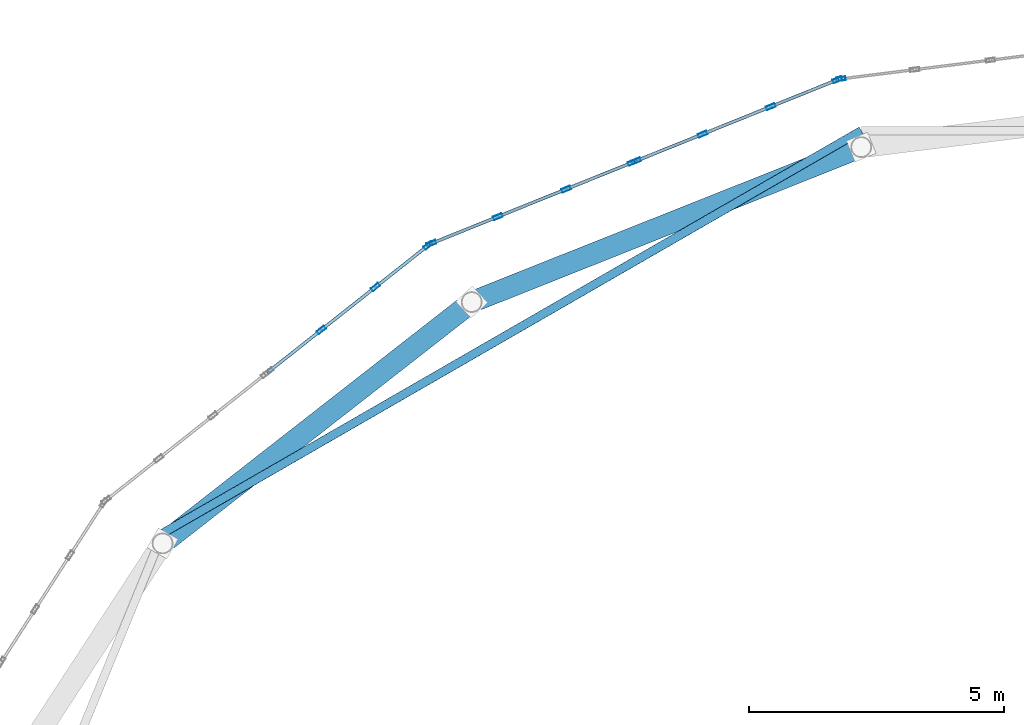
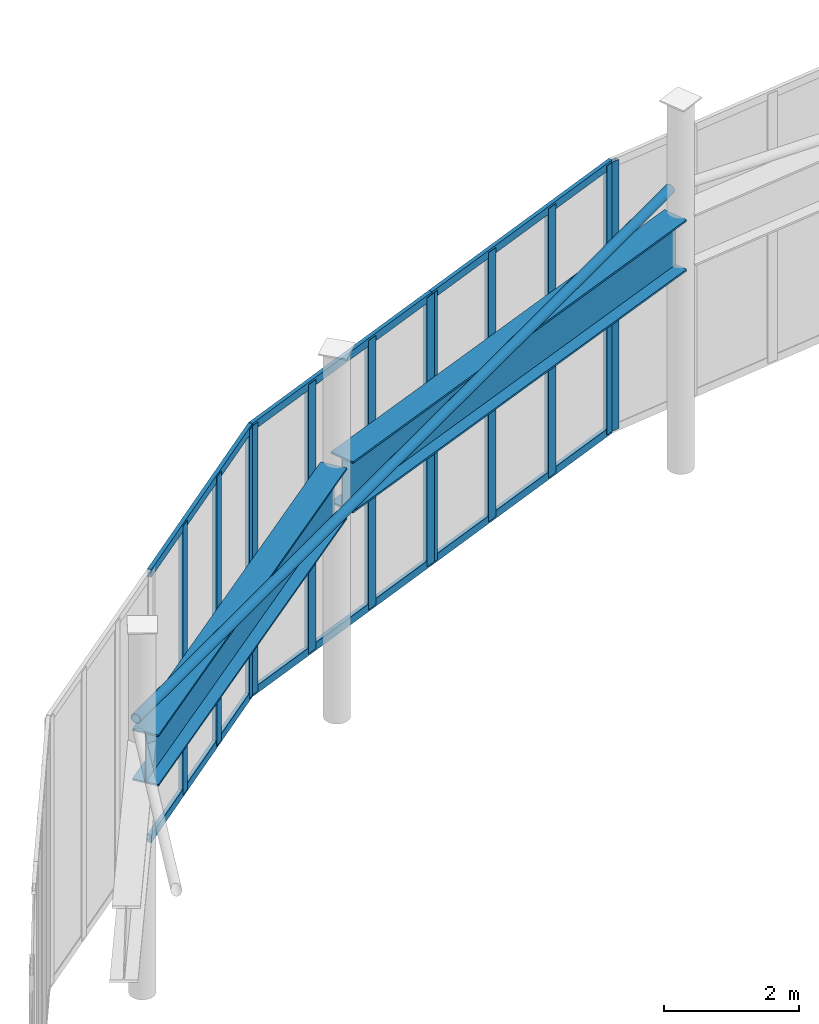
# One storey, part 34 of 91: 19 members, 2 beams, 4 elements without a shape of their own.
"""IFC4 building model written with IfcOpenShell, lengths in metres."""

from ifc_helpers import new_model, si_unit, direction, frame, origin, origin_2d, place, context, subcontext, project, spatial, hollow_rectangle, hollow_circle, i_section, extrude, material, layer, layer_set, material_profile, profile_set, type_object, element, aggregate, save


model = new_model("IFC4")

# Units and contexts
model_context = context("Model", 3, precision=1e-05, world=origin(), true_north=direction((0.0, 1.0)))
body_context = subcontext(model_context, "Body", "Model", "MODEL_VIEW")
ifc_project = project(units=[si_unit("LENGTHUNIT", "METRE"), si_unit("AREAUNIT", "SQUARE_METRE"), si_unit("VOLUMEUNIT", "CUBIC_METRE"), si_unit("PLANEANGLEUNIT", "RADIAN"), si_unit("MASSUNIT", "GRAM", prefix="KILO")], contexts=[model_context])

# Site, building, storey
site_placement = place(None, origin())
site = spatial("IfcSite", under=ifc_project, at=site_placement, CompositionType="ELEMENT")
building_placement = place(site_placement, origin())
building = spatial("IfcBuilding", under=site, at=building_placement, Name="Sollismere Congress Hotel", CompositionType="ELEMENT")
storey_placement = place(building_placement, frame((0.0, 0.0, 10.800048828125)))
storey = spatial("IfcBuildingStorey", under=building, at=storey_placement, Name="L02", CompositionType="ELEMENT", Elevation=10.800048828125)

# Beams
ifc_material_1 = material(Name="Steel ASTM A992 Grade 50", Category="steel")
ifc_material_profile_1 = material_profile(ifc_material_1, i_section(OverallWidth=0.4189453125, OverallDepth=0.927001953125, WebThickness=0.019287109375, FlangeThickness=0.031982421875, at=origin_2d()), Name="W36X231")
ifc_profile_set_1 = profile_set([ifc_material_profile_1], Name="Steel ASTM A992 Grade 50")
beam_type = type_object("IfcBeamType", Name="BM-RG36", PredefinedType="SPANDREL", material=ifc_profile_set_1)
beam_1_placement = place(storey_placement, frame((20.43701171875, 110.66064453125, 4.156494140625), z_axis=(-0.92919785881, -0.369582655414, 0.0), x_axis=(0.369582655414, -0.92919785881, 0.0)))
element("IfcBeam", 1, at=beam_1_placement, inside=storey, type_object=beam_type, Name="Beam BM-L02-4212", PredefinedType="SPANDREL", context=body_context, shape_type="SweptSolid", body=[
    extrude(i_section(OverallWidth=0.4189453125, OverallDepth=0.927001953125, WebThickness=0.019287109375, FlangeThickness=0.031982421875, at=origin_2d()), origin(), (0.0, 0.0, 1.0), 7.96533203125),
])
beam_2_placement = place(storey_placement, frame((12.82958984375, 107.5986328125, 4.156494140625), z_axis=(-0.788263734949, -0.615337536775, 0.0), x_axis=(0.615337536775, -0.788263734949, 0.0)))
element("IfcBeam", 2, at=beam_2_placement, inside=storey, type_object=beam_type, Name="Beam BM-L02-4213", PredefinedType="SPANDREL", context=body_context, shape_type="SweptSolid", body=[
    extrude(i_section(OverallWidth=0.4189453125, OverallDepth=0.927001953125, WebThickness=0.019287109375, FlangeThickness=0.031982421875, at=origin_2d()), origin(), (0.0, 0.0, 1.0), 7.43603515625),
])

# Member
ifc_material_2 = material(Name="Steel ASTM A500 Grade C", Category="steel")
ifc_material_profile_2 = material_profile(ifc_material_2, hollow_circle(Radius=0.083984375, WallThickness=0.008056640625, at=origin_2d()), Name="CHS168X8")
ifc_profile_set_2 = profile_set([ifc_material_profile_2], Name="Steel ASTM A500 Grade C")
member_type_1 = type_object("IfcMemberType", Name="MB-TI168", PredefinedType="STRINGER", material=ifc_profile_set_2)
member_1_placement = place(storey_placement, frame((20.54931640625, 111.02734375, 4.820068359375), z_axis=(-0.866451516646, -0.499261223511, 0.0), x_axis=(0.499261223511, -0.866451516646, 0.0)))
element("IfcMember", 3, at=member_1_placement, inside=storey, type_object=member_type_1, Name="MEM-DT-04", PredefinedType="STRINGER", context=body_context, shape_type="SweptSolid", body=[
    extrude(hollow_circle(Radius=0.083984375, WallThickness=0.008056640625, at=origin_2d()), origin(), (0.0, 0.0, 1.0), 15.78125),
])

# Curtain wall, member
ifc_material_3 = material(Name="Anodized Bronze Curtain Wall & Low-E Triple Glazing", Category="glass")
ifc_layer = layer(ifc_material_3, 0.199951171875, Name="Anodized Bronze Curtain Wall & Low-E Triple Glazing")
ifc_layer_set = layer_set([ifc_layer], Name="Anodized Bronze Curtain Wall & Low-E Triple Glazing")
curtain_wall_type = type_object("IfcCurtainWallType", Name="CW-GLZ36", PredefinedType="USERDEFINED", material=ifc_layer_set)
curtain_wall_1_placement = place(storey_placement, origin())
curtain_wall_1 = element("IfcCurtainWall", 4, at=curtain_wall_1_placement, inside=storey, type_object=curtain_wall_type, Name="Unitised curtain wall CW-L02-020", ObjectType="UNITISED CURTAIN WALL", PredefinedType="USERDEFINED")
ifc_material_4 = material(Name="Anodized Aluminum 6063-T6", Category="aluminium")
ifc_material_profile_3 = material_profile(ifc_material_4, hollow_rectangle(XDim=0.074951171875, YDim=0.179931640625, WallThickness=0.0048828125, at=origin_2d()), Name="ALU180X75X5")
ifc_profile_set_3 = profile_set([ifc_material_profile_3], Name="Anodized Aluminum 6063-T6")
member_type_2 = type_object("IfcMemberType", Name="ML-CW180", PredefinedType="MULLION", material=ifc_profile_set_3)
member_2_placement = place(storey_placement, frame((20.153564453125, 112.041259765625, 0.0), z_axis=(0.0, 0.0, 1.0), x_axis=(0.124363496441, -0.992236726166, 0.0)))
member_2 = element("IfcMember", 5, at=member_2_placement, type_object=member_type_2, Name="CWL-CW-L02-020-ML04", PredefinedType="MULLION", context=body_context, shape_type="SweptSolid", body=[
    extrude(hollow_rectangle(XDim=0.074951171875, YDim=0.179931640625, WallThickness=0.0048828125, at=origin_2d()), origin(), (0.0, 0.0, 1.0), 4.85986328125),
])
aggregate(curtain_wall_1, [member_2])

# Curtain wall, members
curtain_wall_2_placement = place(storey_placement, origin())
curtain_wall_2 = element("IfcCurtainWall", 6, at=curtain_wall_2_placement, inside=storey, type_object=curtain_wall_type, Name="Unitised curtain wall CW-L02-025", ObjectType="UNITISED CURTAIN WALL", PredefinedType="USERDEFINED")
member_3_placement = place(storey_placement, frame((20.08056640625, 112.022216796875, 0.0), z_axis=(0.0, 0.0, 1.0), x_axis=(0.373943018709, -0.927451680013, 0.0)))
member_3 = element("IfcMember", 7, at=member_3_placement, type_object=member_type_2, Name="CWL-CW-L02-025-ML01", PredefinedType="MULLION", context=body_context, shape_type="SweptSolid", body=[
    extrude(hollow_rectangle(XDim=0.074951171875, YDim=0.179931640625, WallThickness=0.0048828125, at=origin_2d()), origin(), (0.0, 0.0, 1.0), 4.85986328125),
])
member_4_placement = place(storey_placement, frame((18.780029296875, 111.497802734375, 0.0), z_axis=(0.0, 0.0, 1.0), x_axis=(0.373943018709, -0.927451680013, 0.0)))
member_4 = element("IfcMember", 8, at=member_4_placement, type_object=member_type_2, Name="CWL-CW-L02-025-ML02", PredefinedType="MULLION", context=body_context, shape_type="SweptSolid", body=[
    extrude(hollow_rectangle(XDim=0.074951171875, YDim=0.179931640625, WallThickness=0.0048828125, at=origin_2d()), origin(), (0.0, 0.0, 1.0), 4.85986328125),
])
member_5_placement = place(storey_placement, frame((17.4443359375, 110.95947265625, 0.0), z_axis=(0.0, 0.0, 1.0), x_axis=(0.373943018709, -0.927451680013, 0.0)))
member_5 = element("IfcMember", 9, at=member_5_placement, type_object=member_type_2, Name="CWL-CW-L02-025-ML03", PredefinedType="MULLION", context=body_context, shape_type="SweptSolid", body=[
    extrude(hollow_rectangle(XDim=0.074951171875, YDim=0.179931640625, WallThickness=0.0048828125, at=origin_2d()), origin(), (0.0, 0.0, 1.0), 4.85986328125),
])
member_6_placement = place(storey_placement, frame((16.143798828125, 110.43505859375, 0.0), z_axis=(0.0, 0.0, 1.0), x_axis=(0.373943018709, -0.927451680013, 0.0)))
member_6 = element("IfcMember", 10, at=member_6_placement, type_object=member_type_2, Name="CWL-CW-L02-025-ML04", PredefinedType="MULLION", context=body_context, shape_type="SweptSolid", body=[
    extrude(hollow_rectangle(XDim=0.074951171875, YDim=0.179931640625, WallThickness=0.0048828125, at=origin_2d()), origin(), (0.0, 0.0, 1.0), 4.85986328125),
])

curtain_wall_3_placement = place(storey_placement, origin())
curtain_wall_3 = element("IfcCurtainWall", 11, at=curtain_wall_3_placement, inside=storey, type_object=curtain_wall_type, Name="Unitised curtain wall CW-L02-026", ObjectType="UNITISED CURTAIN WALL", PredefinedType="USERDEFINED")
member_7_placement = place(storey_placement, frame((16.0732421875, 110.406494140625, 0.0), z_axis=(0.0, 0.0, 1.0), x_axis=(0.373943018709, -0.927451680013, 0.0)))
member_7 = element("IfcMember", 12, at=member_7_placement, type_object=member_type_2, Name="CWL-CW-L02-026-ML01", PredefinedType="MULLION", context=body_context, shape_type="SweptSolid", body=[
    extrude(hollow_rectangle(XDim=0.074951171875, YDim=0.179931640625, WallThickness=0.0048828125, at=origin_2d()), origin(), (0.0, 0.0, 1.0), 4.85986328125),
])
member_8_placement = place(storey_placement, frame((14.772705078125, 109.882080078125, 0.0), z_axis=(0.0, 0.0, 1.0), x_axis=(0.373943018709, -0.927451680013, 0.0)))
member_8 = element("IfcMember", 13, at=member_8_placement, type_object=member_type_2, Name="CWL-CW-L02-026-ML02", PredefinedType="MULLION", context=body_context, shape_type="SweptSolid", body=[
    extrude(hollow_rectangle(XDim=0.074951171875, YDim=0.179931640625, WallThickness=0.0048828125, at=origin_2d()), origin(), (0.0, 0.0, 1.0), 4.85986328125),
])
member_9_placement = place(storey_placement, frame((13.43701171875, 109.34375, 0.0), z_axis=(0.0, 0.0, 1.0), x_axis=(0.373943018709, -0.927451680013, 0.0)))
member_9 = element("IfcMember", 14, at=member_9_placement, type_object=member_type_2, Name="CWL-CW-L02-026-ML03", PredefinedType="MULLION", context=body_context, shape_type="SweptSolid", body=[
    extrude(hollow_rectangle(XDim=0.074951171875, YDim=0.179931640625, WallThickness=0.0048828125, at=origin_2d()), origin(), (0.0, 0.0, 1.0), 4.85986328125),
])
member_10_placement = place(storey_placement, frame((12.136474609375, 108.8193359375, 0.0), z_axis=(0.0, 0.0, 1.0), x_axis=(0.373943018709, -0.927451680013, 0.0)))
member_10 = element("IfcMember", 15, at=member_10_placement, type_object=member_type_2, Name="CWL-CW-L02-026-ML04", PredefinedType="MULLION", context=body_context, shape_type="SweptSolid", body=[
    extrude(hollow_rectangle(XDim=0.074951171875, YDim=0.179931640625, WallThickness=0.0048828125, at=origin_2d()), origin(), (0.0, 0.0, 1.0), 4.85986328125),
])

curtain_wall_4_placement = place(storey_placement, origin())
curtain_wall_4 = element("IfcCurtainWall", 16, at=curtain_wall_4_placement, inside=storey, type_object=curtain_wall_type, Name="Unitised curtain wall CW-L02-031", ObjectType="UNITISED CURTAIN WALL", PredefinedType="USERDEFINED")
member_11_placement = place(storey_placement, frame((12.0712890625, 108.781494140625, 0.0), z_axis=(0.0, 0.0, 1.0), x_axis=(0.620532077362, -0.784181063891, 0.0)))
member_11 = element("IfcMember", 17, at=member_11_placement, type_object=member_type_2, Name="CWL-CW-L02-031-ML01", PredefinedType="MULLION", context=body_context, shape_type="SweptSolid", body=[
    extrude(hollow_rectangle(XDim=0.074951171875, YDim=0.179931640625, WallThickness=0.0048828125, at=origin_2d()), origin(), (0.0, 0.0, 1.0), 4.85986328125),
])
member_12_placement = place(storey_placement, frame((11.041015625, 107.96630859375, 0.0), z_axis=(0.0, 0.0, 1.0), x_axis=(0.620532077362, -0.784181063891, 0.0)))
member_12 = element("IfcMember", 18, at=member_12_placement, type_object=member_type_2, Name="CWL-CW-L02-031-ML02", PredefinedType="MULLION", context=body_context, shape_type="SweptSolid", body=[
    extrude(hollow_rectangle(XDim=0.074951171875, YDim=0.179931640625, WallThickness=0.0048828125, at=origin_2d()), origin(), (0.0, 0.0, 1.0), 4.85986328125),
])
member_13_placement = place(storey_placement, frame((9.981201171875, 107.12744140625, 0.0), z_axis=(0.0, 0.0, 1.0), x_axis=(0.620532077362, -0.784181063891, 0.0)))
member_13 = element("IfcMember", 19, at=member_13_placement, type_object=member_type_2, Name="CWL-CW-L02-031-ML03", PredefinedType="MULLION", context=body_context, shape_type="SweptSolid", body=[
    extrude(hollow_rectangle(XDim=0.074951171875, YDim=0.179931640625, WallThickness=0.0048828125, at=origin_2d()), origin(), (0.0, 0.0, 1.0), 4.85986328125),
])

# Member
ifc_material_profile_4 = material_profile(ifc_material_4, hollow_rectangle(XDim=0.06494140625, YDim=0.139892578125, WallThickness=0.00390625, at=origin_2d()), Name="ALU140X65X4")
ifc_profile_set_4 = profile_set([ifc_material_profile_4], Name="Anodized Aluminum 6063-T6")
member_type_3 = type_object("IfcMemberType", Name="TR-CW150", PredefinedType="MEMBER", material=ifc_profile_set_4)
member_14_placement = place(storey_placement, frame((20.11572265625, 112.03662109375, 0.032470703125), z_axis=(-0.927452218611, -0.373941682878, 0.0), x_axis=(0.373941682878, -0.927452218611, 0.0)))
member_14 = element("IfcMember", 20, at=member_14_placement, type_object=member_type_3, Name="CWL-CW-L02-025-TR1", PredefinedType="MEMBER", context=body_context, shape_type="SweptSolid", body=[
    extrude(hollow_rectangle(XDim=0.06494140625, YDim=0.139892578125, WallThickness=0.00390625, at=origin_2d()), origin(), (0.0, 0.0, 1.0), 4.32080078125),
])

member_15_placement = place(storey_placement, frame((20.11572265625, 112.03662109375, 4.827392578125), z_axis=(-0.927452218611, -0.373941682878, 0.0), x_axis=(0.373941682878, -0.927452218611, 0.0)))
member_15 = element("IfcMember", 21, at=member_15_placement, type_object=member_type_3, Name="CWL-CW-L02-025-TR2", PredefinedType="MEMBER", context=body_context, shape_type="SweptSolid", body=[
    extrude(hollow_rectangle(XDim=0.06494140625, YDim=0.139892578125, WallThickness=0.00390625, at=origin_2d()), origin(), (0.0, 0.0, 1.0), 4.32080078125),
])

aggregate(curtain_wall_2, [member_3, member_4, member_5, member_6, member_14, member_15])

member_16_placement = place(storey_placement, frame((16.1083984375, 110.4208984375, 0.032470703125), z_axis=(-0.927444316939, -0.373961280052, 0.0), x_axis=(0.373961280052, -0.927444316939, 0.0)))
member_16 = element("IfcMember", 22, at=member_16_placement, type_object=member_type_3, Name="CWL-CW-L02-026-TR1", PredefinedType="MEMBER", context=body_context, shape_type="SweptSolid", body=[
    extrude(hollow_rectangle(XDim=0.06494140625, YDim=0.139892578125, WallThickness=0.00390625, at=origin_2d()), origin(), (0.0, 0.0, 1.0), 4.320556640625),
])

member_17_placement = place(storey_placement, frame((16.1083984375, 110.4208984375, 4.827392578125), z_axis=(-0.927444316939, -0.373961280052, 0.0), x_axis=(0.373961280052, -0.927444316939, 0.0)))
member_17 = element("IfcMember", 23, at=member_17_placement, type_object=member_type_3, Name="CWL-CW-L02-026-TR2", PredefinedType="MEMBER", context=body_context, shape_type="SweptSolid", body=[
    extrude(hollow_rectangle(XDim=0.06494140625, YDim=0.139892578125, WallThickness=0.00390625, at=origin_2d()), origin(), (0.0, 0.0, 1.0), 4.320556640625),
])

aggregate(curtain_wall_3, [member_7, member_8, member_9, member_10, member_16, member_17])

member_18_placement = place(storey_placement, frame((12.101318359375, 108.80517578125, 0.032470703125), z_axis=(-0.784193501486, -0.620516359355, 0.0), x_axis=(0.620516359355, -0.784193501486, 0.0)))
member_18 = element("IfcMember", 24, at=member_18_placement, type_object=member_type_3, Name="CWL-CW-L02-031-TR1", PredefinedType="MEMBER", context=body_context, shape_type="SweptSolid", body=[
    extrude(hollow_rectangle(XDim=0.06494140625, YDim=0.139892578125, WallThickness=0.00390625, at=origin_2d()), origin(), (0.0, 0.0, 1.0), 4.0556640625),
])

member_19_placement = place(storey_placement, frame((12.101318359375, 108.80517578125, 4.827392578125), z_axis=(-0.784193501486, -0.620516359355, 0.0), x_axis=(0.620516359355, -0.784193501486, 0.0)))
member_19 = element("IfcMember", 25, at=member_19_placement, type_object=member_type_3, Name="CWL-CW-L02-031-TR2", PredefinedType="MEMBER", context=body_context, shape_type="SweptSolid", body=[
    extrude(hollow_rectangle(XDim=0.06494140625, YDim=0.139892578125, WallThickness=0.00390625, at=origin_2d()), origin(), (0.0, 0.0, 1.0), 4.0556640625),
])

aggregate(curtain_wall_4, [member_11, member_12, member_13, member_18, member_19])

save(model, "model.ifc")
